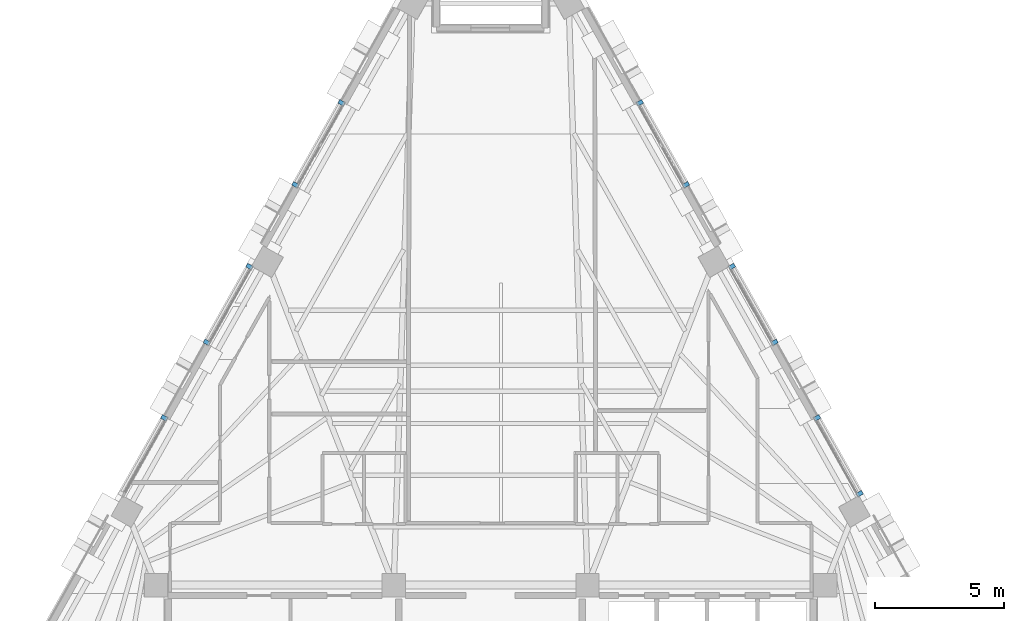
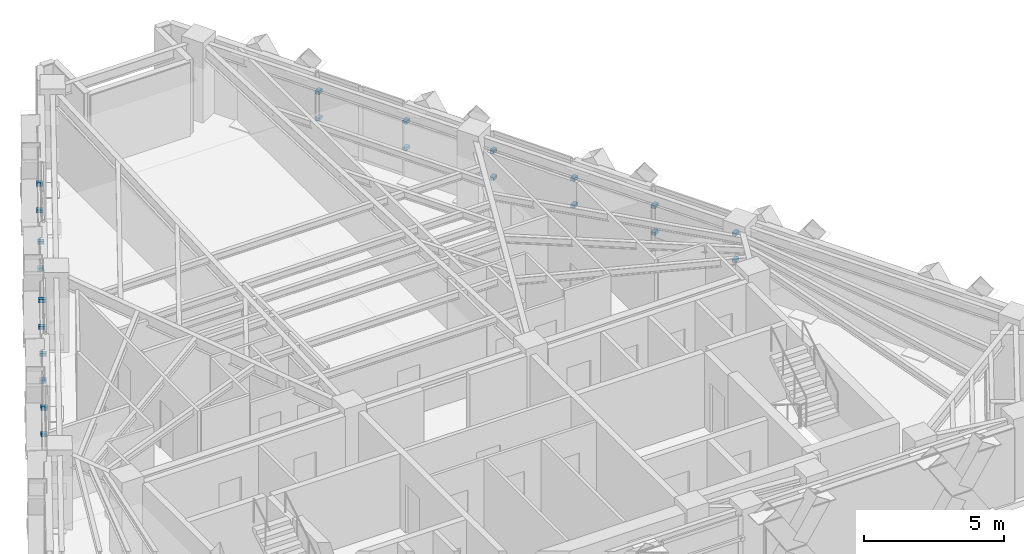
# One storey, part 10 of 13: 22 discrete accessories.
"""IFC4 building model written with IfcOpenShell, lengths in metres."""

from ifc_helpers import new_model, si_unit, direction, frame, origin, origin_2d, place, context, subcontext, project, spatial, rectangle, extrude, material, type_object, element, save


model = new_model("IFC4")

# Units and contexts
model_context = context("Model", 3, precision=1e-05, world=origin(), true_north=direction((0.0, 1.0)))
body_context = subcontext(model_context, "Body", "Model", "MODEL_VIEW")
ifc_project = project(units=[si_unit("LENGTHUNIT", "METRE"), si_unit("AREAUNIT", "SQUARE_METRE"), si_unit("VOLUMEUNIT", "CUBIC_METRE"), si_unit("PLANEANGLEUNIT", "RADIAN"), si_unit("MASSUNIT", "GRAM", prefix="KILO")], contexts=[model_context])

# Site, building, storey
site_placement = place(None, origin())
site = spatial("IfcSite", under=ifc_project, at=site_placement, CompositionType="ELEMENT")
building_placement = place(site_placement, origin())
building = spatial("IfcBuilding", under=site, at=building_placement, Name="Quenlor Broadcast Tower", CompositionType="ELEMENT")
storey_placement = place(building_placement, frame((0.0, 0.0, 214.89990234375)))
storey = spatial("IfcBuildingStorey", under=building, at=storey_placement, Name="L59", CompositionType="ELEMENT", Elevation=214.89990234375)

# Discrete accessories
ifc_material = material(Name="Aluminium 6063-T6", Category="aluminium")
discrete_accessory_type = type_object("IfcDiscreteAccessoryType", Name="Stainless Mullion Baguette Support Bracket", PredefinedType="BRACKET", material=ifc_material)
for number, where, z_axis, x_axis, name in (
    (1, (5.771484375, 13.864013671875, 1.10009765625), (0.0, 0.0, 1.0), (0.490260425147, -0.871575995272, 0.0), "L59 Baguette Mullion Bracket 1.1"),
    (2, (7.555908203125, 10.692138671875, 1.10009765625), (0.0, 0.0, 1.0), (0.490260425147, -0.871575995272, 0.0), "L59 Baguette Mullion Bracket 1.2"),
    (3, (5.771484375, 13.864013671875, 2.27001953125), (0.0, 0.0, 1.0), (0.490260425147, -0.871575995272, 0.0), "L59 Baguette Mullion Bracket 2.1"),
    (4, (7.555908203125, 10.692138671875, 2.27001953125), (0.0, 0.0, 1.0), (0.490260425147, -0.871575995272, 0.0), "L59 Baguette Mullion Bracket 2.2"),
    (5, (9.33544921875, 7.5283203125, 1.10009765625), (0.0, 0.0, 1.0), (0.49025738277, -0.871577706599, 0.0), "L59 Baguette Mullion Bracket 1.1"),
    (6, (10.98486328125, 4.595947265625, 1.10009765625), (0.0, 0.0, 1.0), (0.49025738277, -0.871577706599, 0.0), "L59 Baguette Mullion Bracket 1.2"),
    (7, (9.33544921875, 7.5283203125, 2.27001953125), (0.0, 0.0, 1.0), (0.49025738277, -0.871577706599, 0.0), "L59 Baguette Mullion Bracket 2.1"),
    (8, (10.98486328125, 4.595947265625, 2.27001953125), (0.0, 0.0, 1.0), (0.49025738277, -0.871577706599, 0.0), "L59 Baguette Mullion Bracket 2.2"),
    (9, (12.6298828125, 1.671630859375, 1.10009765625), (0.0, 0.0, 1.0), (0.49025738277, -0.871577706599, 0.0), "L59 Baguette Mullion Bracket 1.1"),
    (10, (14.279296875, -1.260498046875, 1.10009765625), (0.0, 0.0, 1.0), (0.49025738277, -0.871577706599, 0.0), "L59 Baguette Mullion Bracket 1.2"),
    (11, (12.6298828125, 1.671630859375, 2.27001953125), (0.0, 0.0, 1.0), (0.49025738277, -0.871577706599, 0.0), "L59 Baguette Mullion Bracket 2.1"),
    (12, (14.279296875, -1.260498046875, 2.27001953125), (0.0, 0.0, 1.0), (0.49025738277, -0.871577706599, 0.0), "L59 Baguette Mullion Bracket 2.2"),
    (13, (-7.555908203125, 10.692138671875, 1.10009765625), (0.0, 0.0, 1.0), (0.490260425147, 0.871575995272, 0.0), "L59 Baguette Mullion Bracket 1.1"),
    (14, (-5.771484375, 13.864013671875, 1.10009765625), (0.0, 0.0, 1.0), (0.490260425147, 0.871575995272, 0.0), "L59 Baguette Mullion Bracket 1.2"),
    (15, (-7.555908203125, 10.692138671875, 2.27001953125), (0.0, 0.0, 1.0), (0.490260425147, 0.871575995272, 0.0), "L59 Baguette Mullion Bracket 2.1"),
    (16, (-5.771484375, 13.864013671875, 2.27001953125), (0.0, 0.0, 1.0), (0.490260425147, 0.871575995272, 0.0), "L59 Baguette Mullion Bracket 2.2"),
    (17, (-12.6298828125, 1.671630859375, 1.10009765625), (0.0, 0.0, 1.0), (0.49025738277, 0.871577706599, 0.0), "L59 Baguette Mullion Bracket 1.2"),
    (18, (-12.6298828125, 1.671630859375, 2.27001953125), (0.0, 0.0, 1.0), (0.49025738277, 0.871577706599, 0.0), "L59 Baguette Mullion Bracket 2.2"),
    (19, (-10.98486328125, 4.595947265625, 1.10009765625), (0.0, 0.0, 1.0), (0.49025738277, 0.871577706599, 0.0), "L59 Baguette Mullion Bracket 1.1"),
    (20, (-9.33544921875, 7.5283203125, 1.10009765625), (0.0, 0.0, 1.0), (0.49025738277, 0.871577706599, 0.0), "L59 Baguette Mullion Bracket 1.2"),
    (21, (-10.98486328125, 4.595947265625, 2.27001953125), (0.0, 0.0, 1.0), (0.49025738277, 0.871577706599, 0.0), "L59 Baguette Mullion Bracket 2.1"),
    (22, (-9.33544921875, 7.5283203125, 2.27001953125), (0.0, 0.0, 1.0), (0.49025738277, 0.871577706599, 0.0), "L59 Baguette Mullion Bracket 2.2"),
):
    element("IfcDiscreteAccessory", number, at=place(storey_placement, frame(where, z_axis=z_axis, x_axis=x_axis)), inside=storey, type_object=discrete_accessory_type, Name=name, PredefinedType="BRACKET", context=body_context, shape_type="SweptSolid", body=[
        extrude(rectangle(XDim=0.159912109375, YDim=0.239990234375, at=origin_2d()), origin(), (0.0, 0.0, 1.0), 0.139892578125),
    ])

save(model, "model.ifc")
